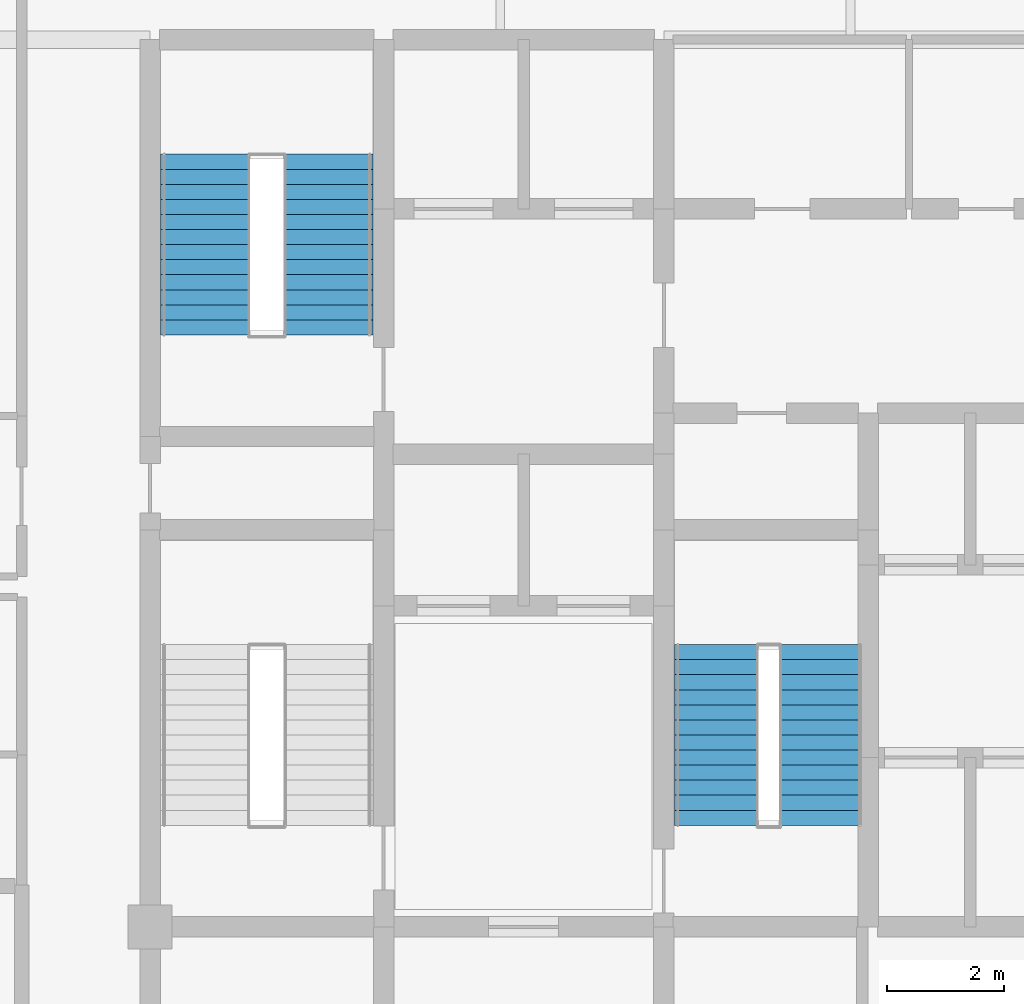
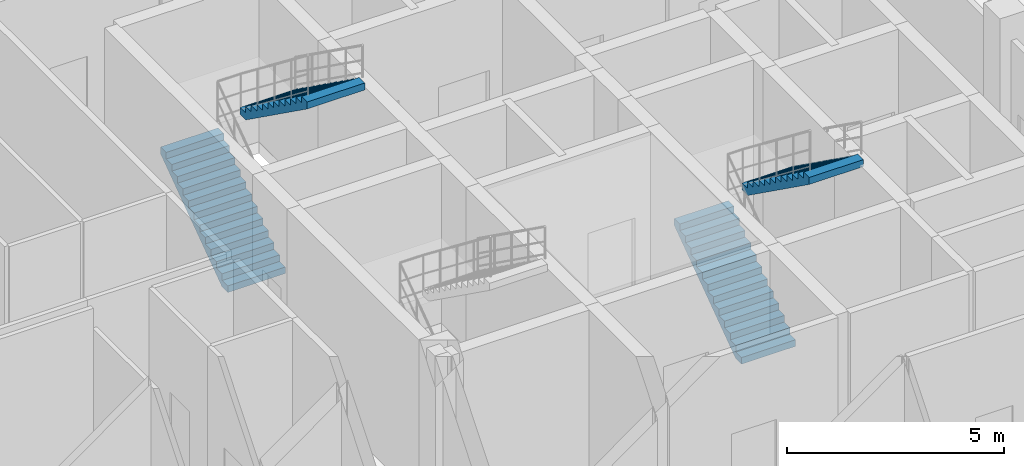
# One storey, part 28 of 29: 4 stair flights, 2 elements without a shape of their own.
"""IFC4 building model written with IfcOpenShell, lengths in metres."""

from ifc_helpers import new_model, si_unit, direction, frame, origin, place, context, subcontext, project, spatial, polyline, outline, extrude, material, type_object, element, aggregate, save


model = new_model("IFC4")

# Units and contexts
model_context = context("Model", 3, precision=1e-05, world=origin(), true_north=direction((0.0, 1.0)))
body_context = subcontext(model_context, "Body", "Model", "MODEL_VIEW")
ifc_project = project(units=[si_unit("LENGTHUNIT", "METRE"), si_unit("AREAUNIT", "SQUARE_METRE"), si_unit("VOLUMEUNIT", "CUBIC_METRE"), si_unit("PLANEANGLEUNIT", "RADIAN"), si_unit("MASSUNIT", "GRAM", prefix="KILO")], contexts=[model_context])

# Site, building, storey
site_placement = place(None, origin())
site = spatial("IfcSite", under=ifc_project, at=site_placement, CompositionType="ELEMENT")
building_placement = place(site_placement, origin())
building = spatial("IfcBuilding", under=site, at=building_placement, Name="Keshet Zoharim Tower", CompositionType="ELEMENT")
storey_placement = place(building_placement, frame((0.0, 0.0, 218.0)))
storey = spatial("IfcBuildingStorey", under=building, at=storey_placement, Name="L54", CompositionType="ELEMENT", Elevation=218.0)

# Stair, stair flights
ifc_material = material(Name="Concrete C50/60", Category="concrete")
stair_type = type_object("IfcStairType", Name="STR-EXIT-135", PredefinedType="HALF_TURN_STAIR", material=ifc_material)
stair_1_placement = place(storey_placement, origin())
stair_1 = element("IfcStair", 1, at=stair_1_placement, inside=storey, type_object=stair_type, Name="L54 Enclosed Exit Stair ST-02", PredefinedType="HALF_TURN_STAIR")
stair_flight_type_1 = type_object("IfcStairFlightType", Name="FLT-PRE-135", PredefinedType="STRAIGHT", material=ifc_material)
stair_flight_1_placement = place(storey_placement, frame((15.945068359375, 32.840087890625, 0.0), z_axis=(0.0, 0.0, 1.0), x_axis=(0.0, 1.0, 0.0)))
stair_flight_1 = element("IfcStairFlight", 2, at=stair_flight_1_placement, type_object=stair_flight_type_1, Name="ST-02 flight 1", NumberOfRisers=13, NumberOfTreads=12, PredefinedType="STRAIGHT", RiserHeight=0.184615, TreadLength=0.258, context=body_context, shape_type="SweptSolid", body=[
    extrude(outline(polyline([(0.0, 0.0), (0.0, 0.1845703125), (0.258056640625, 0.1845703125), (0.258056640625, 0.369140625), (0.51611328125, 0.369140625), (0.51611328125, 0.553955078125), (0.77392578125, 0.553955078125), (0.77392578125, 0.738525390625), (1.031982421875, 0.738525390625), (1.031982421875, 0.923095703125), (1.2900390625, 0.923095703125), (1.2900390625, 1.107666015625), (1.548095703125, 1.107666015625), (1.548095703125, 1.292236328125), (1.805908203125, 1.292236328125), (1.805908203125, 1.476806640625), (2.06396484375, 1.476806640625), (2.06396484375, 1.66162109375), (2.322021484375, 1.66162109375), (2.322021484375, 1.84619140625), (2.580078125, 1.84619140625), (2.580078125, 2.03076171875), (2.837890625, 2.03076171875), (2.837890625, 2.21533203125), (3.095947265625, 2.21533203125), (3.095947265625, 2.39990234375), (3.095947265625, 2.018798828125), (0.27490234375, 0.0), (0.0, 0.0)])), frame((0.0, 0.76513671875, 0.0), z_axis=(0.0, -1.0, 0.0), x_axis=(1.0, 0.0, 0.0)), (0.0, 0.0, 1.0), 1.530029296875),
])
stair_flight_2_placement = place(storey_placement, frame((18.054931640625, 35.93603515625, 2.39990234375), z_axis=(0.0, 0.0, 1.0), x_axis=(0.0, -1.0, 0.0)))
stair_flight_2 = element("IfcStairFlight", 3, at=stair_flight_2_placement, type_object=stair_flight_type_1, Name="ST-02 flight 2", NumberOfRisers=13, NumberOfTreads=12, PredefinedType="STRAIGHT", RiserHeight=0.184615, TreadLength=0.258, context=body_context, shape_type="SweptSolid", body=[
    extrude(outline(polyline([(0.0, 0.0), (0.0, 0.1845703125), (0.258056640625, 0.1845703125), (0.258056640625, 0.369140625), (0.51611328125, 0.369140625), (0.51611328125, 0.553955078125), (0.77392578125, 0.553955078125), (0.77392578125, 0.738525390625), (1.031982421875, 0.738525390625), (1.031982421875, 0.923095703125), (1.2900390625, 0.923095703125), (1.2900390625, 1.107666015625), (1.548095703125, 1.107666015625), (1.548095703125, 1.292236328125), (1.805908203125, 1.292236328125), (1.805908203125, 1.476806640625), (2.06396484375, 1.476806640625), (2.06396484375, 1.66162109375), (2.322021484375, 1.66162109375), (2.322021484375, 1.84619140625), (2.580078125, 1.84619140625), (2.580078125, 2.03076171875), (2.837890625, 2.03076171875), (2.837890625, 2.21533203125), (3.095947265625, 2.21533203125), (3.095947265625, 2.39990234375), (3.095947265625, 2.018798828125), (0.27490234375, 0.0), (0.0, 0.0)])), frame((0.0, 0.76513671875, 0.0), z_axis=(0.0, -1.0, 0.0), x_axis=(1.0, 0.0, 0.0)), (0.0, 0.0, 1.0), 1.530029296875),
])
aggregate(stair_1, [stair_flight_1, stair_flight_2])

stair_2_placement = place(storey_placement, origin())
stair_2 = element("IfcStair", 4, at=stair_2_placement, inside=storey, type_object=stair_type, Name="L54 Enclosed Exit Stair ST-03", PredefinedType="HALF_TURN_STAIR")
stair_flight_type_2 = type_object("IfcStairFlightType", Name="FLT-PRE-144", PredefinedType="STRAIGHT", material=ifc_material)
stair_flight_3_placement = place(storey_placement, frame((24.699951171875, 24.43994140625, 0.0), z_axis=(0.0, 0.0, 1.0), x_axis=(0.0, 1.0, 0.0)))
stair_flight_3 = element("IfcStairFlight", 5, at=stair_flight_3_placement, type_object=stair_flight_type_2, Name="ST-03 flight 1", NumberOfRisers=13, NumberOfTreads=12, PredefinedType="STRAIGHT", RiserHeight=0.184615, TreadLength=0.258, context=body_context, shape_type="SweptSolid", body=[
    extrude(outline(polyline([(0.0, 0.0), (0.0, 0.1845703125), (0.258056640625, 0.1845703125), (0.258056640625, 0.369140625), (0.51611328125, 0.369140625), (0.51611328125, 0.553955078125), (0.77392578125, 0.553955078125), (0.77392578125, 0.738525390625), (1.031982421875, 0.738525390625), (1.031982421875, 0.923095703125), (1.2900390625, 0.923095703125), (1.2900390625, 1.107666015625), (1.548095703125, 1.107666015625), (1.548095703125, 1.292236328125), (1.805908203125, 1.292236328125), (1.805908203125, 1.476806640625), (2.06396484375, 1.476806640625), (2.06396484375, 1.66162109375), (2.322021484375, 1.66162109375), (2.322021484375, 1.84619140625), (2.580078125, 1.84619140625), (2.580078125, 2.03076171875), (2.837890625, 2.03076171875), (2.837890625, 2.21533203125), (3.095947265625, 2.21533203125), (3.095947265625, 2.39990234375), (3.095947265625, 2.018798828125), (0.27490234375, 0.0), (0.0, 0.0)])), frame((0.0, 0.719970703125, 0.0), z_axis=(0.0, -1.0, 0.0), x_axis=(1.0, 0.0, 0.0)), (0.0, 0.0, 1.0), 1.43994140625),
])
stair_flight_4_placement = place(storey_placement, frame((26.5, 27.535888671875, 2.39990234375), z_axis=(0.0, 0.0, 1.0), x_axis=(0.0, -1.0, 0.0)))
stair_flight_4 = element("IfcStairFlight", 6, at=stair_flight_4_placement, type_object=stair_flight_type_2, Name="ST-03 flight 2", NumberOfRisers=13, NumberOfTreads=12, PredefinedType="STRAIGHT", RiserHeight=0.184615, TreadLength=0.258, context=body_context, shape_type="SweptSolid", body=[
    extrude(outline(polyline([(0.0, 0.0), (0.0, 0.1845703125), (0.258056640625, 0.1845703125), (0.258056640625, 0.369140625), (0.51611328125, 0.369140625), (0.51611328125, 0.553955078125), (0.77392578125, 0.553955078125), (0.77392578125, 0.738525390625), (1.031982421875, 0.738525390625), (1.031982421875, 0.923095703125), (1.2900390625, 0.923095703125), (1.2900390625, 1.107666015625), (1.548095703125, 1.107666015625), (1.548095703125, 1.292236328125), (1.805908203125, 1.292236328125), (1.805908203125, 1.476806640625), (2.06396484375, 1.476806640625), (2.06396484375, 1.66162109375), (2.322021484375, 1.66162109375), (2.322021484375, 1.84619140625), (2.580078125, 1.84619140625), (2.580078125, 2.03076171875), (2.837890625, 2.03076171875), (2.837890625, 2.21533203125), (3.095947265625, 2.21533203125), (3.095947265625, 2.39990234375), (3.095947265625, 2.018798828125), (0.27490234375, 0.0), (0.0, 0.0)])), frame((0.0, 0.719970703125, 0.0), z_axis=(0.0, -1.0, 0.0), x_axis=(1.0, 0.0, 0.0)), (0.0, 0.0, 1.0), 1.43994140625),
])
aggregate(stair_2, [stair_flight_3, stair_flight_4])

save(model, "model.ifc")
